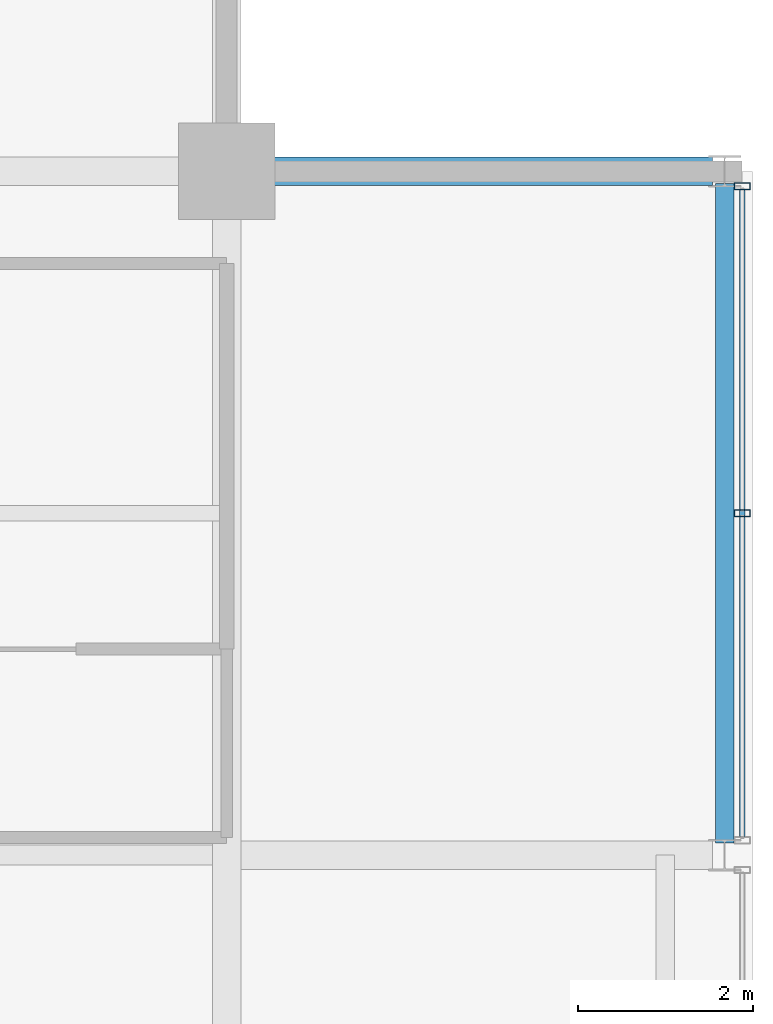
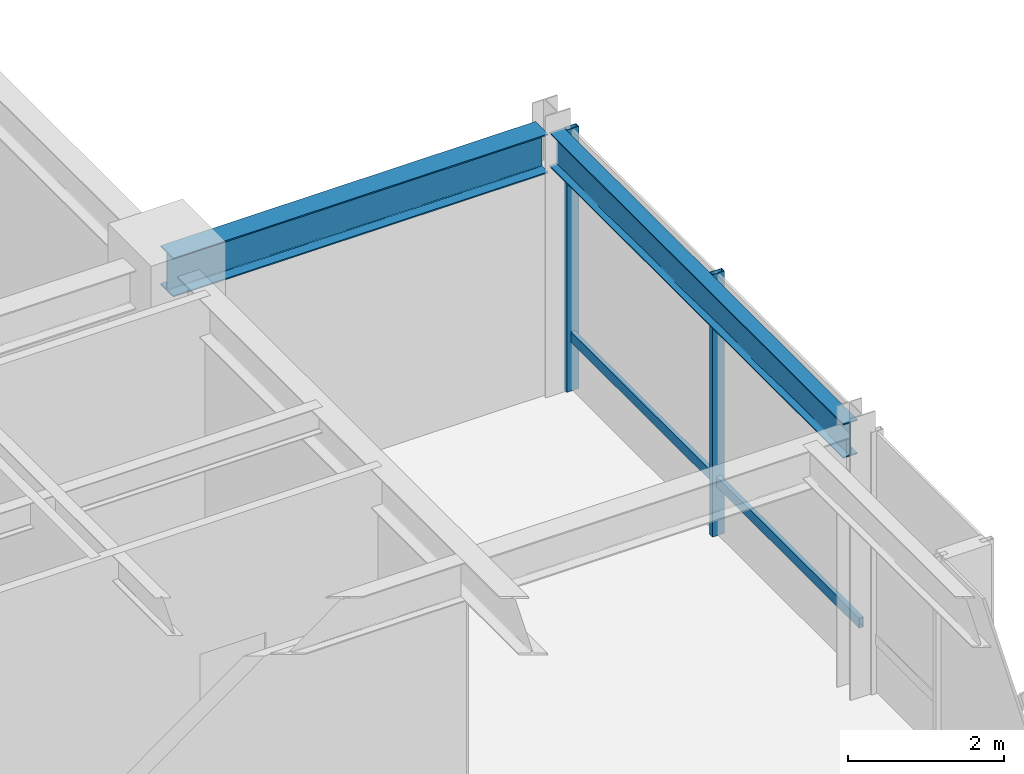
# One storey, part 26 of 34: 3 members, 2 beams, 1 element without a shape of its own.
"""IFC4 building model written with IfcOpenShell, lengths in metres."""

import ifcopenshell
import ifcopenshell.guid

model = None  # the IFC model being written
_history = None  # IfcOwnerHistory: only IFC2X3 demands one
_inside = {}  # id of a spatial element -> (the spatial element, [elements in it])
_under = {}  # id of a project, library or spatial element -> (it, [spatial elements below it])
_declared = {}  # id of a project -> (the project, [libraries it declares])
_typed = {}  # id of a type object -> (the type object, [elements of that type])
_made_of = {}  # id of a material, layer set ... -> (it, [elements and type objects made of it])


def new_model(schema):
    """Start an empty IFC model of exactly this schema.

    Asked for "IFC4X3", IfcOpenShell would pick the latest addendum, in which some entities
    have other attributes; the version numbers below select the first issue.
    IFC2X3 requires an IfcOwnerHistory on every rooted entity: one is made here for all.
    """
    global model, _history
    if schema == "IFC4X3":
        model = ifcopenshell.file(schema_version=(4, 3, 0, 0))
    else:
        model = ifcopenshell.file(schema=schema)
    _inside.clear()
    _under.clear()
    _declared.clear()
    _typed.clear()
    _made_of.clear()
    _history = None
    if model.schema == "IFC2X3":
        org = make("IfcOrganization", Name="unknown")
        user = make(
            "IfcPersonAndOrganization",
            ThePerson=make("IfcPerson", FamilyName="unknown"),
            TheOrganization=org,
        )
        app = make(
            "IfcApplication",
            ApplicationDeveloper=org,
            Version="unknown",
            ApplicationFullName="unknown",
            ApplicationIdentifier="unknown",
        )
        _history = make(
            "IfcOwnerHistory",
            OwningUser=user,
            OwningApplication=app,
            ChangeAction="ADDED",
            CreationDate=0,
        )
    return model


def make(cls, **values):
    """One entity of the class cls with the attributes given. An attribute that is None is left unset."""
    return model.create_entity(
        cls, **{name: value for name, value in values.items() if value is not None}
    )


def rooted(cls, **values):
    """An entity with a GlobalId (a new one), such as an element, a storey or a relation."""
    return make(cls, GlobalId=ifcopenshell.guid.new(), OwnerHistory=_history, **values)


def si_unit(unit_type, name, prefix=None):
    """IfcSIUnit, for example si_unit("LENGTHUNIT", "METRE", prefix="MILLI")."""
    return make("IfcSIUnit", UnitType=unit_type, Prefix=prefix, Name=name)


def assignment(units):
    """IfcUnitAssignment: the units of a project."""
    return None if units is None else make("IfcUnitAssignment", Units=units)


def point(xyz):
    """IfcCartesianPoint."""
    return None if xyz is None else make("IfcCartesianPoint", Coordinates=xyz)


def direction(xyz):
    """IfcDirection."""
    return None if xyz is None else make("IfcDirection", DirectionRatios=xyz)


def frame(location, z_axis=None, x_axis=None):
    """IfcAxis2Placement3D, a coordinate frame: its origin and axes. An axis left out is left unset."""
    return make(
        "IfcAxis2Placement3D",
        Location=point(location),
        Axis=direction(z_axis),
        RefDirection=direction(x_axis),
    )


def frame_2d(location, x_axis=None):
    """IfcAxis2Placement2D, a coordinate frame in the plane: its origin and x axis."""
    return make(
        "IfcAxis2Placement2D", Location=point(location), RefDirection=direction(x_axis)
    )


def origin():
    """The frame at (0, 0, 0) with its axes left unset."""
    return frame((0.0, 0.0, 0.0))


def origin_2d():
    """The frame at (0, 0) in the plane with its x axis left unset."""
    return frame_2d((0.0, 0.0))


def place(relative_to, where):
    """IfcLocalPlacement: puts the frame where relative to a parent placement (None: the world)."""
    return make(
        "IfcLocalPlacement", PlacementRelTo=relative_to, RelativePlacement=where
    )


def context(
    kind, dimensions, precision=None, world=None, true_north=None, identifier=None
):
    """IfcGeometricRepresentationContext, for example the 3D "Model" context."""
    return make(
        "IfcGeometricRepresentationContext",
        ContextIdentifier=identifier,
        ContextType=kind,
        CoordinateSpaceDimension=dimensions,
        Precision=precision,
        WorldCoordinateSystem=world,
        TrueNorth=true_north,
    )


def subcontext(parent, identifier, kind, view, scale=None):
    """IfcGeometricRepresentationSubContext, for example "Body" below "Model"."""
    return make(
        "IfcGeometricRepresentationSubContext",
        ContextIdentifier=identifier,
        ContextType=kind,
        ParentContext=parent,
        TargetScale=scale,
        TargetView=view,
    )


def project(units=None, contexts=None):
    """IfcProject with its units and contexts."""
    return rooted(
        "IfcProject",
        Name="project",
        RepresentationContexts=contexts,
        UnitsInContext=assignment(units),
    )


def spatial(cls, under=None, at=None, **own):
    """A site, building, storey or space (cls), placed at a placement, below another one or the project."""
    s = rooted(cls, ObjectPlacement=at, **own)
    if under is not None:
        _under.setdefault(under.id(), (under, []))[1].append(s)
    return s


def profile(cls, at=None, kind="AREA", **sizes):
    """A parametric profile (cls). Its sizes go by their IFC names, for example OverallWidth=200.0."""
    return make(cls, ProfileType=kind, Position=at, **sizes)


def hollow_rectangle(**sizes):
    """IfcRectangleHollowProfileDef."""
    return profile("IfcRectangleHollowProfileDef", **sizes)


def i_section(**sizes):
    """IfcIShapeProfileDef."""
    return profile("IfcIShapeProfileDef", **sizes)


def extrude(swept, where, along, depth):
    """IfcExtrudedAreaSolid: the profile swept, set in the frame where, extruded along a direction by depth."""
    return make(
        "IfcExtrudedAreaSolid",
        SweptArea=swept,
        Position=where,
        ExtrudedDirection=direction(along),
        Depth=depth,
    )


def shape(context_of_items, identifier, shape_type, items):
    """IfcShapeRepresentation: the items that make up one representation, for example the "Body"."""
    return make(
        "IfcShapeRepresentation",
        ContextOfItems=context_of_items,
        RepresentationIdentifier=identifier,
        RepresentationType=shape_type,
        Items=items,
    )


def material(Name=None, Category=None):
    """IfcMaterial."""
    return make("IfcMaterial", Name=Name, Category=Category)


def layer(
    of_material, thickness, ventilated=None, Name=None, Category=None, Priority=None
):
    """IfcMaterialLayer: one layer of a wall or slab, of a material (None: an air gap)."""
    return make(
        "IfcMaterialLayer",
        Material=of_material,
        LayerThickness=thickness,
        IsVentilated=ventilated,
        Name=Name,
        Category=Category,
        Priority=Priority,
    )


def layer_set(layers, Name=None):
    """IfcMaterialLayerSet."""
    return make("IfcMaterialLayerSet", MaterialLayers=layers, LayerSetName=Name)


def material_profile(
    of_material, cross_section, Name=None, Category=None, Priority=None
):
    """IfcMaterialProfile: a cross section and its material."""
    return make(
        "IfcMaterialProfile",
        Name=Name,
        Material=of_material,
        Profile=cross_section,
        Priority=Priority,
        Category=Category,
    )


def profile_set(profiles, Name=None, composite=None):
    """IfcMaterialProfileSet."""
    return make(
        "IfcMaterialProfileSet",
        Name=Name,
        MaterialProfiles=profiles,
        CompositeProfile=composite,
    )


def made_of(thing, what):
    """Note that an element or type object is made of a material, layer set ...; save() writes the relation."""
    if what is not None:
        _made_of.setdefault(what.id(), (what, []))[1].append(thing)
    return thing


def type_object(cls, material=None, **own):
    """A type object (cls), such as IfcWallType, which elements share."""
    return made_of(rooted(cls, **own), material)


def element(
    cls,
    number,
    at=None,
    inside=None,
    cuts=None,
    type_object=None,
    material=None,
    context=None,
    identifier="Body",
    shape_type=None,
    held_by="IfcProductDefinitionShape",
    body=None,
    shapes=None,
    **own,
):
    """One element of the class cls, such as IfcWall. Its Tag is "e" and its number.

    at: its placement. inside: the storey or other place that contains it. cuts: it is an
    opening in that element (IfcRelVoidsElement). A single representation is given by context,
    identifier, shape_type and body (its items); several are given by shapes. held_by: the class
    of the entity that holds the representations. save() writes the other relations.
    """
    e = rooted(cls, Tag="e%d" % number, ObjectPlacement=at, **own)
    if body is not None:
        shapes = [shape(context, identifier, shape_type, body)]
    if shapes is not None:
        e.Representation = make(held_by, Representations=shapes)
    if inside is not None:
        _inside.setdefault(inside.id(), (inside, []))[1].append(e)
    if cuts is not None:
        rooted(
            "IfcRelVoidsElement", RelatingBuildingElement=cuts, RelatedOpeningElement=e
        )
    if type_object is not None:
        _typed.setdefault(type_object.id(), (type_object, []))[1].append(e)
    return made_of(e, material)


def aggregate(whole, parts):
    """IfcRelAggregates: a whole, such as a stair, and the parts it consists of."""
    return rooted("IfcRelAggregates", RelatingObject=whole, RelatedObjects=parts)


def save(model, path):
    """Write the relations noted so far, then the file.

    IfcRelAggregates (storeys below a building ...), IfcRelContainedInSpatialStructure (elements
    in a storey), IfcRelDefinesByType, IfcRelAssociatesMaterial and IfcRelDeclares: one each for
    every whole, place, type object, material and project.
    """
    for whole, parts in _under.values():
        aggregate(whole, parts)
    for where, things in _inside.values():
        rooted(
            "IfcRelContainedInSpatialStructure",
            RelatedElements=things,
            RelatingStructure=where,
        )
    for kind, things in _typed.values():
        rooted("IfcRelDefinesByType", RelatedObjects=things, RelatingType=kind)
    for what, things in _made_of.values():
        rooted("IfcRelAssociatesMaterial", RelatedObjects=things, RelatingMaterial=what)
    for by, libraries in _declared.values():
        rooted("IfcRelDeclares", RelatingContext=by, RelatedDefinitions=libraries)
    model.write(path)


model = new_model("IFC4")

# Units and contexts
model_context = context("Model", 3, precision=1e-05, world=origin(), true_north=direction((0.0, 1.0)))
body_context = subcontext(model_context, "Body", "Model", "MODEL_VIEW")
ifc_project = project(units=[si_unit("LENGTHUNIT", "METRE"), si_unit("AREAUNIT", "SQUARE_METRE"), si_unit("VOLUMEUNIT", "CUBIC_METRE"), si_unit("PLANEANGLEUNIT", "RADIAN"), si_unit("MASSUNIT", "GRAM", prefix="KILO")], contexts=[model_context])

# Site, building, storey
site_placement = place(None, origin())
site = spatial("IfcSite", under=ifc_project, at=site_placement, CompositionType="ELEMENT")
building_placement = place(site_placement, origin())
building = spatial("IfcBuilding", under=site, at=building_placement, Name="Drelvath Grand Hotel", CompositionType="ELEMENT")
storey_placement = place(building_placement, frame((0.0, 0.0, 294.199951171875)))
storey = spatial("IfcBuildingStorey", under=building, at=storey_placement, Name="L77", CompositionType="ELEMENT", Elevation=294.199951171875)

# Curtain wall, members
ifc_material_1 = material(Name="Platinum-Mist Anodised Aluminium Frame", Category="aluminium")
ifc_layer = layer(ifc_material_1, 0.199951171875)
ifc_layer_set = layer_set([ifc_layer], Name="Platinum-Mist Anodised Aluminium Frame")
curtain_wall_type = type_object("IfcCurtainWallType", Name="Stick Curtain Wall CW-05 Platinum Mist High-Rise", PredefinedType="NOTDEFINED", material=ifc_layer_set)
curtain_wall_placement = place(storey_placement, origin())
curtain_wall = element("IfcCurtainWall", 1, at=curtain_wall_placement, inside=storey, type_object=curtain_wall_type, Name="L77 CW-05 Curtain Wall CW05-L77-EN2", PredefinedType="NOTDEFINED")
ifc_material_profile_1 = material_profile(ifc_material_1, hollow_rectangle(XDim=0.06494140625, YDim=0.159912109375, WallThickness=0.00390625, at=origin_2d()), Name="HSS160X65X4")
ifc_profile_set_1 = profile_set([ifc_material_profile_1], Name="Platinum-Mist Anodised Aluminium Frame")
member_type_1 = type_object("IfcMemberType", Name="Curtain Wall Horizontal Transom CW-05 HSS160X65X4", PredefinedType="USERDEFINED", material=ifc_profile_set_1)
member_1_placement = place(storey_placement, frame((22.080078125, 42.989990234375, 0.85009765625), z_axis=(0.0, -1.0, 0.0), x_axis=(1.0, 0.0, 0.0)))
member_1 = element("IfcMember", 2, at=member_1_placement, type_object=member_type_1, Name="CW05-L77-EN2 Sill Transom", ObjectType="TRANSOM", PredefinedType="USERDEFINED", context=body_context, shape_type="SweptSolid", body=[
    extrude(hollow_rectangle(XDim=0.06494140625, YDim=0.159912109375, WallThickness=0.00390625, at=origin_2d()), origin(), (0.0, 0.0, 1.0), 7.3798828125),
])
ifc_material_profile_2 = material_profile(ifc_material_1, hollow_rectangle(XDim=0.074951171875, YDim=0.179931640625, WallThickness=0.0048828125, at=origin_2d()), Name="HSS180X75X5")
ifc_profile_set_2 = profile_set([ifc_material_profile_2], Name="Platinum-Mist Anodised Aluminium Frame")
member_type_2 = type_object("IfcMemberType", Name="Curtain Wall Vertical Mullion CW-05 HSS180X75X5", PredefinedType="MULLION", material=ifc_profile_set_2)
member_2_placement = place(storey_placement, frame((22.080078125, 43.030029296875, 0.0), z_axis=(0.0, 0.0, 1.0), x_axis=(0.0, 1.0, 0.0)))
member_2 = element("IfcMember", 3, at=member_2_placement, type_object=member_type_2, Name="CW05-L77-EN2 Mullion 1", PredefinedType="MULLION", context=body_context, shape_type="SweptSolid", body=[
    extrude(hollow_rectangle(XDim=0.074951171875, YDim=0.179931640625, WallThickness=0.0048828125, at=origin_2d()), origin(), (0.0, 0.0, 1.0), 4.10009765625),
])
member_3_placement = place(storey_placement, frame((22.080078125, 39.300048828125, 0.0), z_axis=(0.0, 0.0, 1.0), x_axis=(0.0, 1.0, 0.0)))
member_3 = element("IfcMember", 4, at=member_3_placement, type_object=member_type_2, Name="CW05-L77-EN2 Mullion 2", PredefinedType="MULLION", context=body_context, shape_type="SweptSolid", body=[
    extrude(hollow_rectangle(XDim=0.074951171875, YDim=0.179931640625, WallThickness=0.0048828125, at=origin_2d()), origin(), (0.0, 0.0, 1.0), 4.10009765625),
])
aggregate(curtain_wall, [member_2, member_3, member_1])

# Beams
ifc_material_2 = material(Name="Steel ASTM A992 Gr 50", Category="steel")
ifc_material_profile_3 = material_profile(ifc_material_2, i_section(OverallWidth=0.210205078125, OverallDepth=0.53662109375, WebThickness=0.010986328125, FlangeThickness=0.017333984375, FilletRadius=0.01806640625, at=origin_2d()), Name="W21X68")
ifc_profile_set_3 = profile_set([ifc_material_profile_3], Name="Steel ASTM A992 Gr 50")
beam_type_1 = type_object("IfcBeamType", Name="Perimeter Spandrel Beam W21X68", PredefinedType="SPANDREL", material=ifc_profile_set_3)
beam_1_placement = place(storey_placement, frame((21.8798828125, 35.5400390625, 3.831787109375), z_axis=(0.0, 1.0, 0.0), x_axis=(-1.0, 0.0, 0.0)))
element("IfcBeam", 5, at=beam_1_placement, inside=storey, type_object=beam_type_1, Name="L77 Spandrel East N", PredefinedType="SPANDREL", context=body_context, shape_type="SweptSolid", body=[
    extrude(i_section(OverallWidth=0.210205078125, OverallDepth=0.53662109375, WebThickness=0.010986328125, FlangeThickness=0.017333984375, FilletRadius=0.01806640625, at=origin_2d()), origin(), (0.0, 0.0, 1.0), 7.52001953125),
])
ifc_material_profile_4 = material_profile(ifc_material_2, i_section(OverallWidth=0.323974609375, OverallDepth=0.611083984375, WebThickness=0.0126953125, FlangeThickness=0.01904296875, FilletRadius=0.02197265625, at=origin_2d()), Name="W24X104")
ifc_profile_set_4 = profile_set([ifc_material_profile_4], Name="Steel ASTM A992 Gr 50")
beam_type_2 = type_object("IfcBeamType", Name="Primary Floor Girder W24X104", PredefinedType="BEAM", material=ifc_profile_set_4)
beam_2_placement = place(storey_placement, frame((16.199951171875, 43.199951171875, 3.79443359375), z_axis=(1.0, 0.0, 0.0), x_axis=(0.0, 1.0, 0.0)))
element("IfcBeam", 6, at=beam_2_placement, inside=storey, type_object=beam_type_2, Name="L77 East Grid Girder G", PredefinedType="BEAM", context=body_context, shape_type="SweptSolid", body=[
    extrude(i_section(OverallWidth=0.323974609375, OverallDepth=0.611083984375, WebThickness=0.0126953125, FlangeThickness=0.01904296875, FilletRadius=0.02197265625, at=origin_2d()), origin(), (0.0, 0.0, 1.0), 5.5400390625),
])

save(model, "model.ifc")
